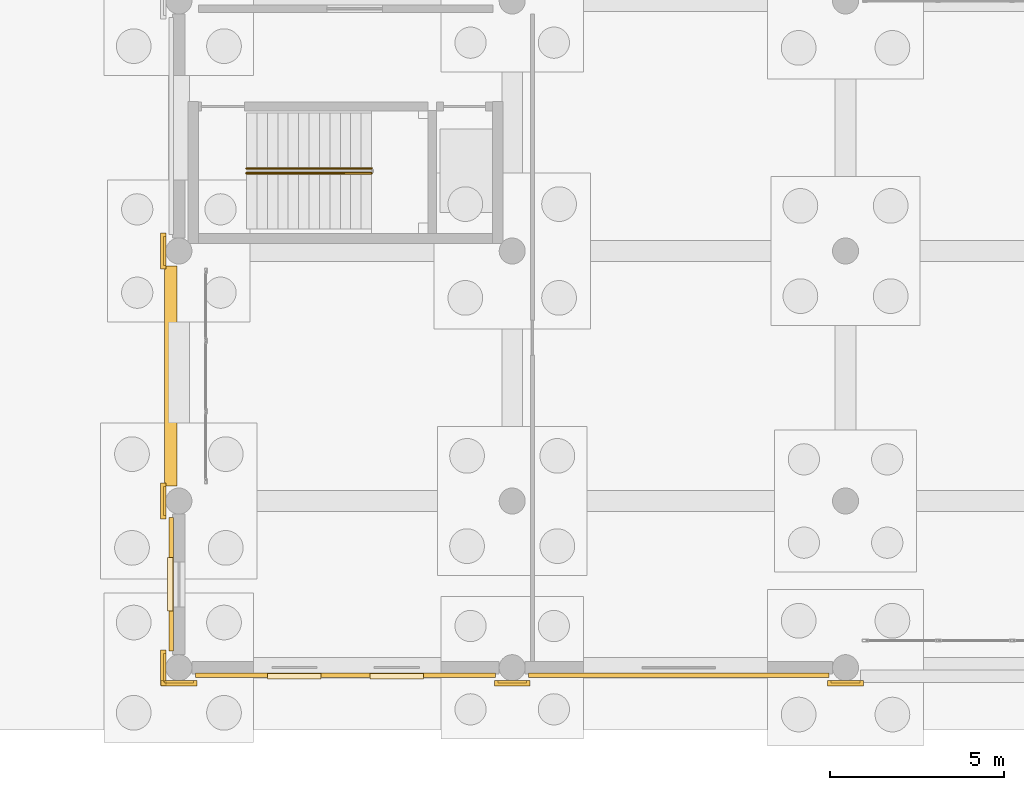
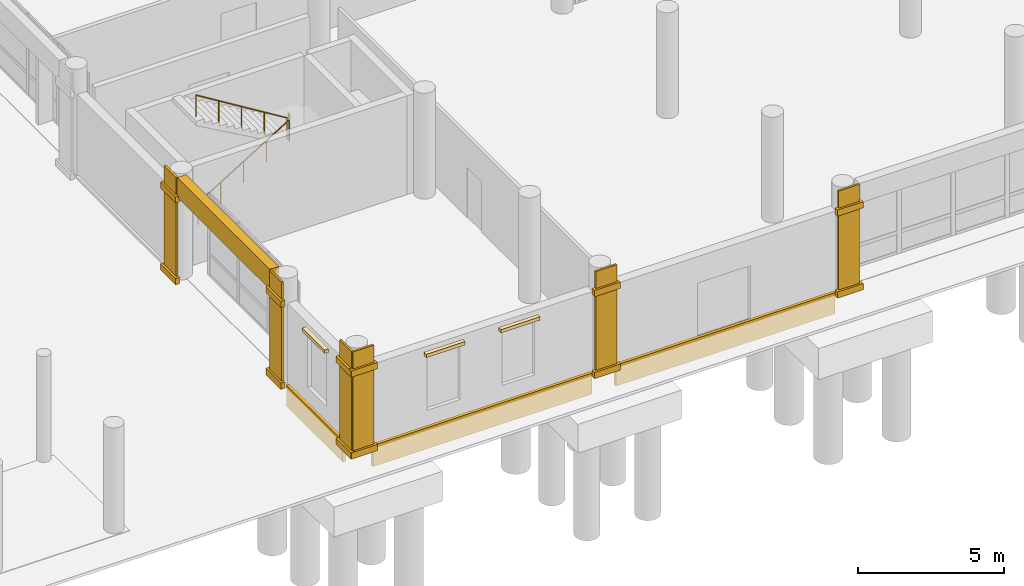
# One storey, part 176 of 196: 25 coverings, 2 railings.
"""IFC4 building model written with IfcOpenShell, lengths in metres."""

from ifc_helpers import new_model, si_unit, direction, frame, origin, origin_2d, place, context, subcontext, project, spatial, rectangle, circle, extrude, material, layer, layer_set, type_object, element, save


model = new_model("IFC4")

# Units and contexts
model_context = context("Model", 3, precision=1e-05, world=origin(), true_north=direction((0.0, 1.0)))
body_context = subcontext(model_context, "Body", "Model", "MODEL_VIEW")
ifc_project = project(units=[si_unit("LENGTHUNIT", "METRE"), si_unit("AREAUNIT", "SQUARE_METRE"), si_unit("VOLUMEUNIT", "CUBIC_METRE"), si_unit("PLANEANGLEUNIT", "RADIAN"), si_unit("MASSUNIT", "GRAM", prefix="KILO")], contexts=[model_context])

# Site, building, storey
site_placement = place(None, origin())
site = spatial("IfcSite", under=ifc_project, at=site_placement, CompositionType="ELEMENT")
building_placement = place(site_placement, origin())
building = spatial("IfcBuilding", under=site, at=building_placement, Name="Asteropetra Specialist Clinic", CompositionType="ELEMENT")
storey_placement = place(building_placement, origin())
storey = spatial("IfcBuildingStorey", under=building, at=storey_placement, Name="L00", CompositionType="ELEMENT", Elevation=0.0)

# Coverings
ifc_material_1 = material(Name="Pentelic marble ashlar", Category="masonry")
ifc_layer = layer(ifc_material_1, 0.159912109375)
ifc_layer_set = layer_set([ifc_layer], Name="Pentelic marble ashlar")
covering_type = type_object("IfcCoveringType", Name="CRN-ENTAB-600", PredefinedType="MOLDING", material=ifc_layer_set)
covering_1_placement = place(storey_placement, frame((105.360107421875, 8.39990234375, 3.58984375), z_axis=(0.0, 0.0, 1.0), x_axis=(1.0, 0.0, 0.0)))
element("IfcCovering", 1, at=covering_1_placement, inside=storey, type_object=covering_type, Name="Stoa Classical Entablature SE-0076", PredefinedType="MOLDING", context=body_context, shape_type="SweptSolid", body=[
    extrude(rectangle(XDim=0.360107421875, YDim=6.330078125, at=origin_2d()), origin(), (0.0, 0.0, 1.0), 0.820068359375),
])
covering_2_placement = place(storey_placement, frame((105.60009765625, -0.406982421875, 0.02001953125), z_axis=(0.0, 0.0, 1.0), x_axis=(1.0, 0.0, 0.0)))
element("IfcCovering", 2, at=covering_2_placement, inside=storey, type_object=covering_type, Name="Neoclassical Pilaster Facing CM-0917", PredefinedType="MOLDING", context=body_context, shape_type="SweptSolid", body=[
    extrude(rectangle(XDim=0.830078125, YDim=0.080078125, at=origin_2d()), origin(), (0.0, 0.0, 1.0), 4.3798828125),
])
for number, where, z_axis, x_axis, name in (
    (3, (105.60009765625, -0.447021484375, 0.009765625), (0.0, 0.0, 1.0), (1.0, 0.0, 0.0), "Doric Base CC-0918"),
    (4, (105.60009765625, -0.447021484375, 3.43017578125), (0.0, 0.0, 1.0), (1.0, 0.0, 0.0), "Doric Capital CC-0919"),
):
    element("IfcCovering", number, at=place(storey_placement, frame(where, z_axis=z_axis, x_axis=x_axis)), inside=storey, type_object=covering_type, Name=name, PredefinedType="MOLDING", context=body_context, shape_type="SweptSolid", body=[
        extrude(rectangle(XDim=1.030029296875, YDim=0.159912109375, at=origin_2d()), origin(), (0.0, 0.0, 1.0), 0.260009765625),
    ])
covering_3_placement = place(storey_placement, frame((105.193115234375, 0.0, 0.02001953125), z_axis=(0.0, 0.0, 1.0), x_axis=(1.0, 0.0, 0.0)))
element("IfcCovering", 5, at=covering_3_placement, inside=storey, type_object=covering_type, Name="Neoclassical Pilaster Facing CM-0920", PredefinedType="MOLDING", context=body_context, shape_type="SweptSolid", body=[
    extrude(rectangle(XDim=0.080078125, YDim=0.830078125, at=origin_2d()), origin(), (0.0, 0.0, 1.0), 4.3798828125),
])
for number, where, z_axis, x_axis, name in (
    (6, (105.153076171875, 0.0, 0.009765625), (0.0, 0.0, 1.0), (1.0, 0.0, 0.0), "Doric Base CC-0921"),
    (7, (105.153076171875, 0.0, 3.43017578125), (0.0, 0.0, 1.0), (1.0, 0.0, 0.0), "Doric Capital CC-0922"),
):
    element("IfcCovering", number, at=place(storey_placement, frame(where, z_axis=z_axis, x_axis=x_axis)), inside=storey, type_object=covering_type, Name=name, PredefinedType="MOLDING", context=body_context, shape_type="SweptSolid", body=[
        extrude(rectangle(XDim=0.159912109375, YDim=1.030029296875, at=origin_2d()), origin(), (0.0, 0.0, 1.0), 0.260009765625),
    ])
covering_4_placement = place(storey_placement, frame((105.193115234375, 4.800048828125, 0.02001953125), z_axis=(0.0, 0.0, 1.0), x_axis=(1.0, 0.0, 0.0)))
element("IfcCovering", 8, at=covering_4_placement, inside=storey, type_object=covering_type, Name="Neoclassical Pilaster Facing CM-0923", PredefinedType="MOLDING", context=body_context, shape_type="SweptSolid", body=[
    extrude(rectangle(XDim=0.080078125, YDim=0.830078125, at=origin_2d()), origin(), (0.0, 0.0, 1.0), 4.3798828125),
])
for number, where, z_axis, x_axis, name in (
    (9, (105.153076171875, 4.800048828125, 0.009765625), (0.0, 0.0, 1.0), (1.0, 0.0, 0.0), "Doric Base CC-0924"),
    (10, (105.153076171875, 4.800048828125, 3.43017578125), (0.0, 0.0, 1.0), (1.0, 0.0, 0.0), "Doric Capital CC-0925"),
):
    element("IfcCovering", number, at=place(storey_placement, frame(where, z_axis=z_axis, x_axis=x_axis)), inside=storey, type_object=covering_type, Name=name, PredefinedType="MOLDING", context=body_context, shape_type="SweptSolid", body=[
        extrude(rectangle(XDim=0.159912109375, YDim=1.030029296875, at=origin_2d()), origin(), (0.0, 0.0, 1.0), 0.260009765625),
    ])
covering_5_placement = place(storey_placement, frame((105.193115234375, 12.0, 0.02001953125), z_axis=(0.0, 0.0, 1.0), x_axis=(1.0, 0.0, 0.0)))
element("IfcCovering", 11, at=covering_5_placement, inside=storey, type_object=covering_type, Name="Neoclassical Pilaster Facing CM-0926", PredefinedType="MOLDING", context=body_context, shape_type="SweptSolid", body=[
    extrude(rectangle(XDim=0.080078125, YDim=0.830078125, at=origin_2d()), origin(), (0.0, 0.0, 1.0), 4.3798828125),
])
for number, where, z_axis, x_axis, name in (
    (12, (105.153076171875, 12.0, 0.009765625), (0.0, 0.0, 1.0), (1.0, 0.0, 0.0), "Doric Base CC-0927"),
    (13, (105.153076171875, 12.0, 3.43017578125), (0.0, 0.0, 1.0), (1.0, 0.0, 0.0), "Doric Capital CC-0928"),
):
    element("IfcCovering", number, at=place(storey_placement, frame(where, z_axis=z_axis, x_axis=x_axis)), inside=storey, type_object=covering_type, Name=name, PredefinedType="MOLDING", context=body_context, shape_type="SweptSolid", body=[
        extrude(rectangle(XDim=0.159912109375, YDim=1.030029296875, at=origin_2d()), origin(), (0.0, 0.0, 1.0), 0.260009765625),
    ])
covering_6_placement = place(storey_placement, frame((115.199951171875, -0.406982421875, 0.02001953125), z_axis=(0.0, 0.0, 1.0), x_axis=(1.0, 0.0, 0.0)))
element("IfcCovering", 14, at=covering_6_placement, inside=storey, type_object=covering_type, Name="Neoclassical Pilaster Facing CM-0953", PredefinedType="MOLDING", context=body_context, shape_type="SweptSolid", body=[
    extrude(rectangle(XDim=0.830078125, YDim=0.080078125, at=origin_2d()), origin(), (0.0, 0.0, 1.0), 4.3798828125),
])
for number, where, z_axis, x_axis, name in (
    (15, (115.199951171875, -0.447021484375, 0.009765625), (0.0, 0.0, 1.0), (1.0, 0.0, 0.0), "Doric Base CC-0954"),
    (16, (115.199951171875, -0.447021484375, 3.43017578125), (0.0, 0.0, 1.0), (1.0, 0.0, 0.0), "Doric Capital CC-0955"),
):
    element("IfcCovering", number, at=place(storey_placement, frame(where, z_axis=z_axis, x_axis=x_axis)), inside=storey, type_object=covering_type, Name=name, PredefinedType="MOLDING", context=body_context, shape_type="SweptSolid", body=[
        extrude(rectangle(XDim=1.030029296875, YDim=0.159912109375, at=origin_2d()), origin(), (0.0, 0.0, 1.0), 0.260009765625),
    ])
covering_7_placement = place(storey_placement, frame((124.800048828125, -0.406982421875, 0.02001953125), z_axis=(0.0, 0.0, 1.0), x_axis=(1.0, 0.0, 0.0)))
element("IfcCovering", 17, at=covering_7_placement, inside=storey, type_object=covering_type, Name="Neoclassical Pilaster Facing CM-0959", PredefinedType="MOLDING", context=body_context, shape_type="SweptSolid", body=[
    extrude(rectangle(XDim=0.830078125, YDim=0.080078125, at=origin_2d()), origin(), (0.0, 0.0, 1.0), 4.3798828125),
])
for number, where, z_axis, x_axis, name in (
    (18, (124.800048828125, -0.447021484375, 0.009765625), (0.0, 0.0, 1.0), (1.0, 0.0, 0.0), "Doric Base CC-0960"),
    (19, (124.800048828125, -0.447021484375, 3.43017578125), (0.0, 0.0, 1.0), (1.0, 0.0, 0.0), "Doric Capital CC-0961"),
):
    element("IfcCovering", number, at=place(storey_placement, frame(where, z_axis=z_axis, x_axis=x_axis)), inside=storey, type_object=covering_type, Name=name, PredefinedType="MOLDING", context=body_context, shape_type="SweptSolid", body=[
        extrude(rectangle(XDim=1.030029296875, YDim=0.159912109375, at=origin_2d()), origin(), (0.0, 0.0, 1.0), 0.260009765625),
    ])
for number, where, z_axis, x_axis, name in (
    (20, (108.925048828125, -0.25, 3.05029296875), (0.0, 0.0, 1.0), (1.0, 0.0, 0.0), "Classical Window Hood WH-1988"),
    (21, (111.875, -0.25, 3.05029296875), (0.0, 0.0, 1.0), (1.0, 0.0, 0.0), "Classical Window Hood WH-1989"),
):
    element("IfcCovering", number, at=place(storey_placement, frame(where, z_axis=z_axis, x_axis=x_axis)), inside=storey, type_object=covering_type, Name=name, PredefinedType="MOLDING", context=body_context, shape_type="SweptSolid", body=[
        extrude(rectangle(XDim=1.5400390625, YDim=0.159912109375, at=origin_2d()), origin(), (0.0, 0.0, 1.0), 0.139892578125),
    ])
for number, where, z_axis, x_axis, name in (
    (22, (110.39990234375, -0.219970703125, -0.800048828125), (0.0, 0.0, 1.0), (1.0, 0.0, 0.0), "Chevron Spandrel Band CV-1990"),
    (23, (120.0, -0.219970703125, -0.800048828125), (0.0, 0.0, 1.0), (1.0, 0.0, 0.0), "Chevron Spandrel Band CV-1994"),
):
    element("IfcCovering", number, at=place(storey_placement, frame(where, z_axis=z_axis, x_axis=x_axis)), inside=storey, type_object=covering_type, Name=name, PredefinedType="MOLDING", context=body_context, shape_type="SweptSolid", body=[
        extrude(rectangle(XDim=8.64990234375, YDim=0.1201171875, at=origin_2d()), origin(), (0.0, 0.0, 1.0), 0.8798828125),
    ])
covering_8_placement = place(storey_placement, frame((105.35009765625, 2.39990234375, 3.05029296875), z_axis=(0.0, 0.0, 1.0), x_axis=(1.0, 0.0, 0.0)))
element("IfcCovering", 24, at=covering_8_placement, inside=storey, type_object=covering_type, Name="Classical Window Hood WH-2001", PredefinedType="MOLDING", context=body_context, shape_type="SweptSolid", body=[
    extrude(rectangle(XDim=0.159912109375, YDim=1.5400390625, at=origin_2d()), origin(), (0.0, 0.0, 1.0), 0.139892578125),
])
covering_9_placement = place(storey_placement, frame((105.3798828125, 2.39990234375, -0.800048828125), z_axis=(0.0, 0.0, 1.0), x_axis=(1.0, 0.0, 0.0)))
element("IfcCovering", 25, at=covering_9_placement, inside=storey, type_object=covering_type, Name="Chevron Spandrel Band CV-2002", PredefinedType="MOLDING", context=body_context, shape_type="SweptSolid", body=[
    extrude(rectangle(XDim=0.1201171875, YDim=3.85009765625, at=origin_2d()), origin(), (0.0, 0.0, 1.0), 0.8798828125),
])

# Railings
ifc_material_2 = material(Name="Brushed stainless steel handrail", Category="steel")
railing_type = type_object("IfcRailingType", Name="HRL-STAIR-920", PredefinedType="HANDRAIL", material=ifc_material_2)
railing_1_placement = place(storey_placement, frame((107.550048828125, 14.239990234375, 0.0)))
element("IfcRailing", 26, at=railing_1_placement, inside=storey, type_object=railing_type, Name="Stair Handrail ST08-L00 F1", PredefinedType="HANDRAIL", context=body_context, shape_type="SweptSolid", body=[
    extrude(circle(Radius=0.02392578125, at=origin_2d()), frame((0.0, 0.0, 0.89599609375), z_axis=(0.852221410125, 0.0, 0.523181295656), x_axis=(0.0, 1.0, 0.0)), (0.0, 0.0, 1.0), 4.22412109375),
    extrude(circle(Radius=0.02099609375, at=origin_2d()), origin(), (0.0, 0.0, 1.0), 0.871826171875),
    extrude(circle(Radius=0.02099609375, at=origin_2d()), frame((0.89990234375, 0.0, 0.552490234375)), (0.0, 0.0, 1.0), 0.871826171875),
    extrude(circle(Radius=0.02099609375, at=origin_2d()), frame((1.7998046875, 0.0, 1.10498046875)), (0.0, 0.0, 1.0), 0.871826171875),
    extrude(circle(Radius=0.02099609375, at=origin_2d()), frame((2.699951171875, 0.0, 1.657470703125)), (0.0, 0.0, 1.0), 0.871826171875),
    extrude(circle(Radius=0.02099609375, at=origin_2d()), frame((3.599853515625, 0.0, 2.2099609375)), (0.0, 0.0, 1.0), 0.871826171875),
])
railing_2_placement = place(storey_placement, frame((111.14990234375, 14.3798828125, 2.2099609375)))
element("IfcRailing", 27, at=railing_2_placement, inside=storey, type_object=railing_type, Name="Stair Handrail ST08-L00 F2", PredefinedType="HANDRAIL", context=body_context, shape_type="SweptSolid", body=[
    extrude(circle(Radius=0.02392578125, at=origin_2d()), frame((0.0, 0.0, 0.89599609375), z_axis=(-0.852221410125, 0.0, 0.523181295656), x_axis=(0.0, -1.0, 0.0)), (0.0, 0.0, 1.0), 4.22412109375),
    extrude(circle(Radius=0.02099609375, at=origin_2d()), origin(), (0.0, 0.0, 1.0), 0.871826171875),
    extrude(circle(Radius=0.02099609375, at=origin_2d()), frame((-0.89990234375, 0.0, 0.552490234375)), (0.0, 0.0, 1.0), 0.871826171875),
    extrude(circle(Radius=0.02099609375, at=origin_2d()), frame((-1.7998046875, 0.0, 1.10498046875)), (0.0, 0.0, 1.0), 0.871826171875),
    extrude(circle(Radius=0.02099609375, at=origin_2d()), frame((-2.699951171875, 0.0, 1.657470703125)), (0.0, 0.0, 1.0), 0.871826171875),
    extrude(circle(Radius=0.02099609375, at=origin_2d()), frame((-3.599853515625, 0.0, 2.2099609375)), (0.0, 0.0, 1.0), 0.871826171875),
])

save(model, "model.ifc")
